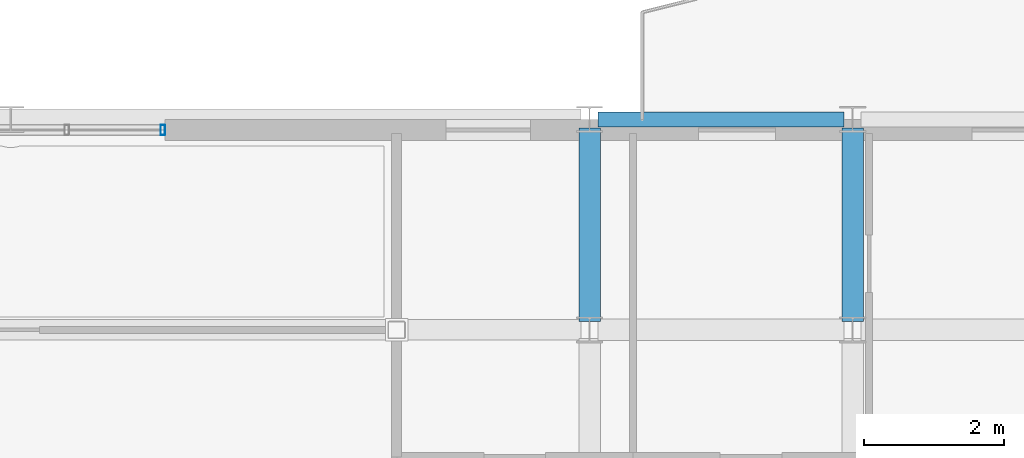
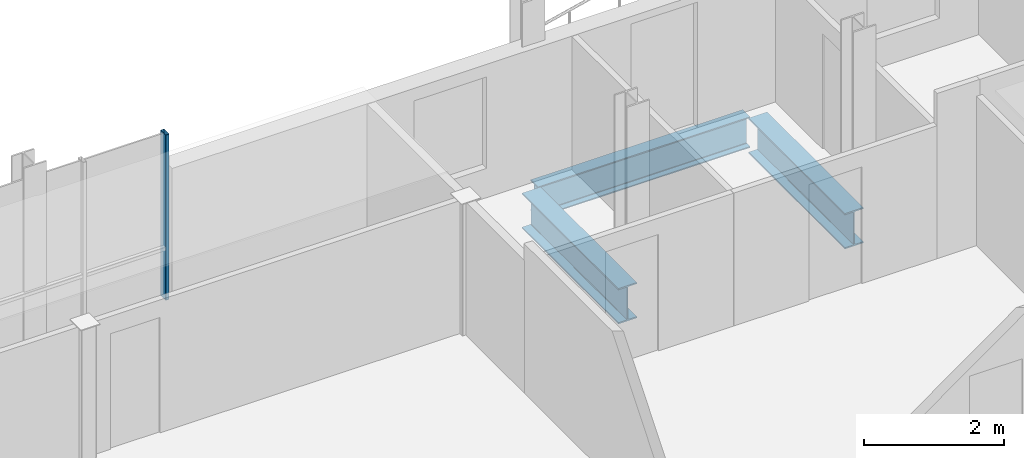
# One storey, part 16 of 35: 3 beams, 1 member, 1 element without a shape of its own.
"""IFC4 building model written with IfcOpenShell, lengths in metres."""

from ifc_helpers import new_model, si_unit, direction, frame, origin, origin_2d, place, context, subcontext, project, spatial, hollow_rectangle, i_section, extrude, material, layer, layer_set, material_profile, profile_set, type_object, element, aggregate, save


model = new_model("IFC4")

# Units and contexts
model_context = context("Model", 3, precision=1e-05, world=origin(), true_north=direction((0.0, 1.0)))
body_context = subcontext(model_context, "Body", "Model", "MODEL_VIEW")
ifc_project = project(units=[si_unit("LENGTHUNIT", "METRE"), si_unit("AREAUNIT", "SQUARE_METRE"), si_unit("VOLUMEUNIT", "CUBIC_METRE"), si_unit("PLANEANGLEUNIT", "RADIAN"), si_unit("MASSUNIT", "GRAM", prefix="KILO")], contexts=[model_context])

# Site, building, storey
site_placement = place(None, origin())
site = spatial("IfcSite", under=ifc_project, at=site_placement, CompositionType="ELEMENT")
building_placement = place(site_placement, origin())
building = spatial("IfcBuilding", under=site, at=building_placement, Name="Brevholm Reach", CompositionType="ELEMENT")
storey_placement = place(building_placement, frame((0.0, 0.0, 218.0)))
storey = spatial("IfcBuildingStorey", under=building, at=storey_placement, Name="L66", CompositionType="ELEMENT", Elevation=218.0)

# Beams
ifc_material_1 = material(Name="Structural Steel S355J2", Category="steel")
ifc_material_profile_1 = material_profile(ifc_material_1, i_section(OverallWidth=0.210693359375, OverallDepth=0.53955078125, WebThickness=0.01171875, FlangeThickness=0.018798828125, FilletRadius=0.0126953125, at=origin_2d()), Name="UKB 533x210x109")
ifc_profile_set_1 = profile_set([ifc_material_profile_1], Name="Structural Steel S355J2")
beam_type_1 = type_object("IfcBeamType", Name="BM-SP539", PredefinedType="SPANDREL", material=ifc_profile_set_1)
beam_placement = place(storey_placement, frame((38.3701171875, 26.5, -0.539794921875), z_axis=(1.0, 0.0, 0.0), x_axis=(0.0, 1.0, 0.0)))
element("IfcBeam", 1, at=beam_placement, inside=storey, type_object=beam_type_1, Name="L66 SP-01B Framing Beam", PredefinedType="SPANDREL", context=body_context, shape_type="SweptSolid", body=[
    extrude(i_section(OverallWidth=0.210693359375, OverallDepth=0.53955078125, WebThickness=0.01171875, FlangeThickness=0.018798828125, FilletRadius=0.0126953125, at=origin_2d()), origin(), (0.0, 0.0, 1.0), 3.509765625),
])
ifc_material_2 = material(Name="Structural Steel S355J2", Category="steel")
ifc_material_profile_2 = material_profile(ifc_material_2, i_section(OverallWidth=0.30712890625, OverallDepth=0.6201171875, WebThickness=0.01416015625, FlangeThickness=0.023681640625, FilletRadius=0.0166015625, at=origin_2d()), Name="UKB 610x305x179")
ifc_profile_set_2 = profile_set([ifc_material_profile_2], Name="Structural Steel S355J2")
beam_type_2 = type_object("IfcBeamType", Name="BM-UKB610H", PredefinedType="USERDEFINED", material=ifc_profile_set_2)
for number, where, z_axis, x_axis, name in (
    (2, (38.25, 23.6201171875, -0.580078125), (0.0, 1.0, 0.0), (-1.0, 0.0, 0.0), "L66 G-06 Framing Beam"),
    (3, (42.0, 23.6201171875, -0.580078125), (0.0, 1.0, 0.0), (-1.0, 0.0, 0.0), "L66 G-06 Framing Beam"),
):
    element("IfcBeam", number, at=place(storey_placement, frame(where, z_axis=z_axis, x_axis=x_axis)), inside=storey, type_object=beam_type_2, Name=name, ObjectType="GIRDER", PredefinedType="USERDEFINED", context=body_context, shape_type="SweptSolid", body=[
        extrude(i_section(OverallWidth=0.30712890625, OverallDepth=0.6201171875, WebThickness=0.01416015625, FlangeThickness=0.023681640625, FilletRadius=0.0166015625, at=origin_2d()), origin(), (0.0, 0.0, 1.0), 2.759765625),
    ])

# Curtain wall, member
ifc_material_3 = material(Name="Dark Anodised Aluminium 6063-T6 and Solar-Control Glass", Category="aluminium")
ifc_layer = layer(ifc_material_3, 0.14990234375)
ifc_layer_set = layer_set([ifc_layer], Name="Dark Anodised Aluminium 6063-T6 and Solar-Control Glass")
curtain_wall_type = type_object("IfcCurtainWallType", Name="CW-01", PredefinedType="NOTDEFINED", material=ifc_layer_set)
curtain_wall_placement = place(storey_placement, origin())
curtain_wall = element("IfcCurtainWall", 4, at=curtain_wall_placement, inside=storey, type_object=curtain_wall_type, Name="L66 Curtain Wall CW-01", PredefinedType="NOTDEFINED")
ifc_material_4 = material(Name="Dark Anodised Aluminium 6063-T6", Category="aluminium")
ifc_material_profile_3 = material_profile(ifc_material_4, hollow_rectangle(XDim=0.06494140625, YDim=0.14990234375, WallThickness=0.0048828125, InnerFilletRadius=0.0048828125, OuterFilletRadius=0.010009765625, at=origin_2d()), Name="RHS 150x65x5")
ifc_profile_set_3 = profile_set([ifc_material_profile_3], Name="Dark Anodised Aluminium 6063-T6")
member_type = type_object("IfcMemberType", Name="CWM-150", PredefinedType="MULLION", material=ifc_profile_set_3)
member_placement = place(storey_placement, frame((32.16748046875, 26.35009765625, 0.0), z_axis=(0.0, 0.0, 1.0), x_axis=(1.0, 0.0, 0.0)))
member = element("IfcMember", 5, at=member_placement, type_object=member_type, Name="CM-150 Mullion 3", PredefinedType="MULLION", context=body_context, shape_type="SweptSolid", body=[
    extrude(hollow_rectangle(XDim=0.06494140625, YDim=0.14990234375, WallThickness=0.0048828125, InnerFilletRadius=0.0048828125, OuterFilletRadius=0.010009765625, at=origin_2d()), origin(), (0.0, 0.0, 1.0), 2.889892578125),
])
aggregate(curtain_wall, [member])

save(model, "model.ifc")
